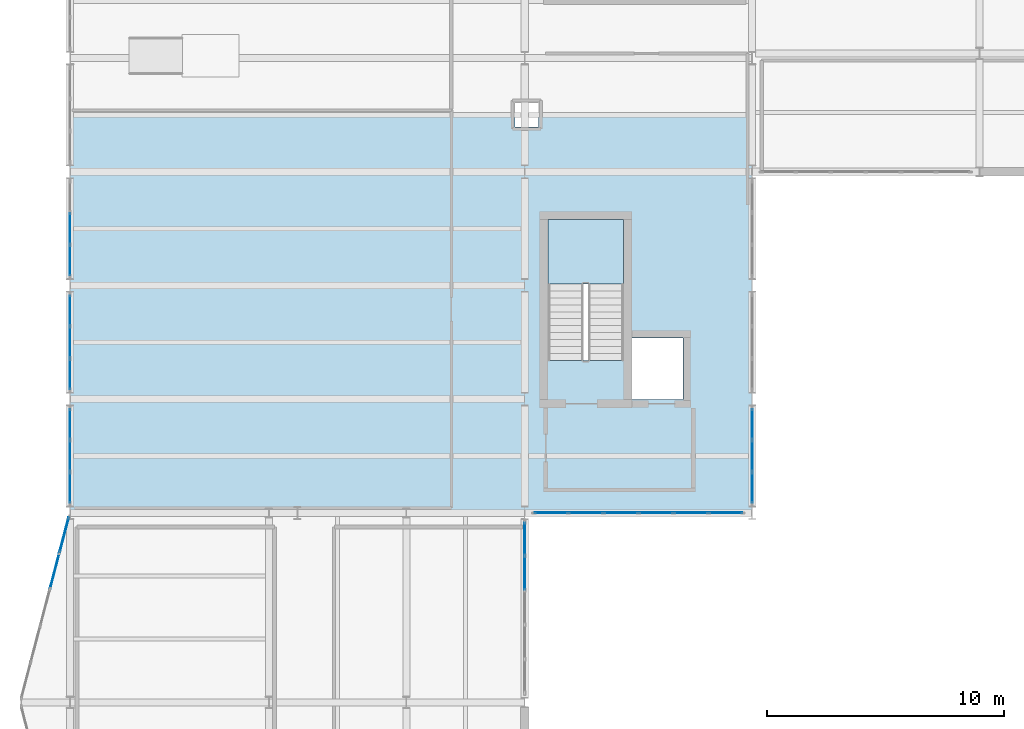
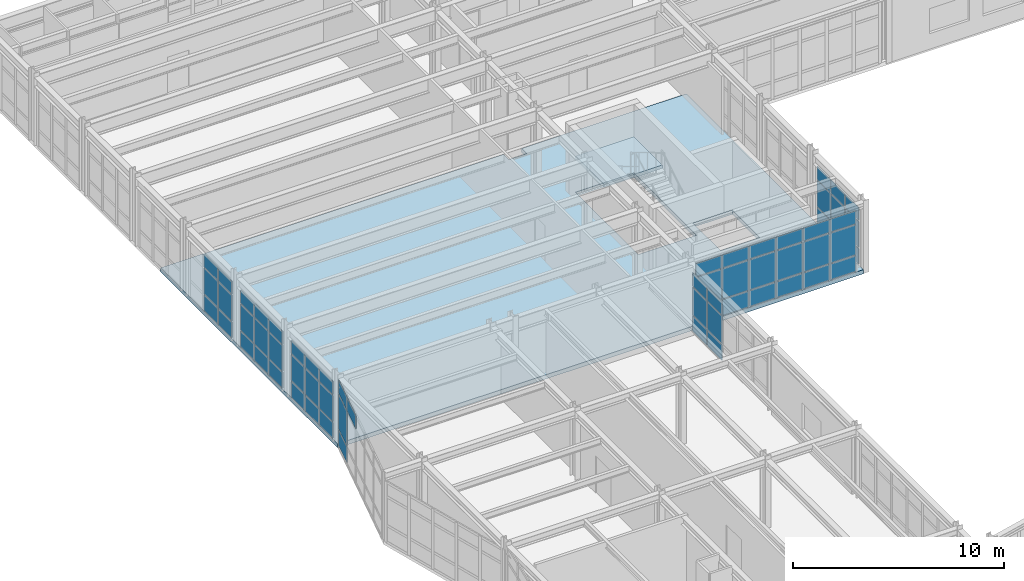
# One storey, part 55 of 88: 61 plates, 2 slabs, 8 elements without a shape of their own.
"""IFC4 building model written with IfcOpenShell, lengths in metres."""

from ifc_helpers import new_model, si_unit, direction, frame, origin, origin_2d, place, context, subcontext, project, spatial, polyline, rectangle, outline, extrude, material, layer, layer_set, type_object, element, aggregate, save


model = new_model("IFC4")

# Units and contexts
model_context = context("Model", 3, precision=1e-05, world=origin(), true_north=direction((0.0, 1.0)))
body_context = subcontext(model_context, "Body", "Model", "MODEL_VIEW")
ifc_project = project(units=[si_unit("LENGTHUNIT", "METRE"), si_unit("AREAUNIT", "SQUARE_METRE"), si_unit("VOLUMEUNIT", "CUBIC_METRE"), si_unit("PLANEANGLEUNIT", "RADIAN"), si_unit("MASSUNIT", "GRAM", prefix="KILO")], contexts=[model_context])

# Site, building, storey
site_placement = place(None, origin())
site = spatial("IfcSite", under=ifc_project, at=site_placement, CompositionType="ELEMENT")
building_placement = place(site_placement, origin())
building = spatial("IfcBuilding", under=site, at=building_placement, Name="Nordkorset Police Headquarters", CompositionType="ELEMENT")
storey_placement = place(building_placement, frame((0.0, 0.0, 9.449951171875)))
storey = spatial("IfcBuildingStorey", under=building, at=storey_placement, Name="L02", CompositionType="ELEMENT", Elevation=9.449951171875)

# Curtain wall, plates
ifc_material_1 = material(Name="Aluminium alloy AW-6060", Category="aluminium")
ifc_layer_1 = layer(ifc_material_1, 0.179931640625, Name="Aluminium alloy AW-6060")
ifc_layer_set_1 = layer_set([ifc_layer_1], Name="Aluminium alloy AW-6060")
curtain_wall_type_1 = type_object("IfcCurtainWallType", Name="CW_Unit_408x341", PredefinedType="USERDEFINED", material=ifc_layer_set_1)
curtain_wall_1_placement = place(storey_placement, origin())
curtain_wall_1 = element("IfcCurtainWall", 1, at=curtain_wall_1_placement, inside=storey, type_object=curtain_wall_type_1, Name="Unitised Curtain Wall L02 V1W-0", ObjectType="UNITISED CURTAIN WALL", PredefinedType="USERDEFINED")
ifc_material_2 = material(Name="Low-iron triple glazing", Category="glass")
ifc_layer_2 = layer(ifc_material_2, 0.035888671875, Name="Low-iron triple glazing")
ifc_layer_set_2 = layer_set([ifc_layer_2], Name="Low-iron triple glazing")
plate_type = type_object("IfcPlateType", Name="CW_Panel_TripleGlazing_36", PredefinedType="CURTAIN_PANEL", material=ifc_layer_set_2)
plate_1_placement = place(storey_placement, frame((0.0, 84.25634765625, 0.06494140625), z_axis=(0.0, 0.0, 1.0), x_axis=(0.0, 1.0, 0.0)))
plate_1 = element("IfcPlate", 2, at=plate_1_placement, type_object=plate_type, Name="CW-40 panel 1.1", PredefinedType="CURTAIN_PANEL", context=body_context, shape_type="SweptSolid", body=[
    extrude(rectangle(XDim=1.262451171875, YDim=0.035888671875, at=origin_2d()), origin(), (0.0, 0.0, 1.0), 0.902587890625),
])
plate_2_placement = place(storey_placement, frame((0.0, 84.25634765625, 1.032470703125), z_axis=(0.0, 0.0, 1.0), x_axis=(0.0, 1.0, 0.0)))
plate_2 = element("IfcPlate", 3, at=plate_2_placement, type_object=plate_type, Name="CW-40 panel 1.2", PredefinedType="CURTAIN_PANEL", context=body_context, shape_type="SweptSolid", body=[
    extrude(rectangle(XDim=1.262451171875, YDim=0.035888671875, at=origin_2d()), origin(), (0.0, 0.0, 1.0), 1.4951171875),
])
plate_3_placement = place(storey_placement, frame((0.0, 84.25634765625, 2.592529296875), z_axis=(0.0, 0.0, 1.0), x_axis=(0.0, 1.0, 0.0)))
plate_3 = element("IfcPlate", 4, at=plate_3_placement, type_object=plate_type, Name="CW-40 panel 1.3", PredefinedType="CURTAIN_PANEL", context=body_context, shape_type="SweptSolid", body=[
    extrude(rectangle(XDim=1.262451171875, YDim=0.035888671875, at=origin_2d()), origin(), (0.0, 0.0, 1.0), 0.75244140625),
])
plate_4_placement = place(storey_placement, frame((0.0, 85.60009765625, 0.06494140625), z_axis=(0.0, 0.0, 1.0), x_axis=(0.0, 1.0, 0.0)))
plate_4 = element("IfcPlate", 5, at=plate_4_placement, type_object=plate_type, Name="CW-40 panel 2.1", PredefinedType="CURTAIN_PANEL", context=body_context, shape_type="SweptSolid", body=[
    extrude(rectangle(XDim=1.294921875, YDim=0.035888671875, at=origin_2d()), origin(), (0.0, 0.0, 1.0), 0.902587890625),
])
plate_5_placement = place(storey_placement, frame((0.0, 85.60009765625, 1.032470703125), z_axis=(0.0, 0.0, 1.0), x_axis=(0.0, 1.0, 0.0)))
plate_5 = element("IfcPlate", 6, at=plate_5_placement, type_object=plate_type, Name="CW-40 panel 2.2", PredefinedType="CURTAIN_PANEL", context=body_context, shape_type="SweptSolid", body=[
    extrude(rectangle(XDim=1.294921875, YDim=0.035888671875, at=origin_2d()), origin(), (0.0, 0.0, 1.0), 1.4951171875),
])
plate_6_placement = place(storey_placement, frame((0.0, 85.60009765625, 2.592529296875), z_axis=(0.0, 0.0, 1.0), x_axis=(0.0, 1.0, 0.0)))
plate_6 = element("IfcPlate", 7, at=plate_6_placement, type_object=plate_type, Name="CW-40 panel 2.3", PredefinedType="CURTAIN_PANEL", context=body_context, shape_type="SweptSolid", body=[
    extrude(rectangle(XDim=1.294921875, YDim=0.035888671875, at=origin_2d()), origin(), (0.0, 0.0, 1.0), 0.75244140625),
])
plate_7_placement = place(storey_placement, frame((0.0, 86.94384765625, 0.06494140625), z_axis=(0.0, 0.0, 1.0), x_axis=(0.0, 1.0, 0.0)))
plate_7 = element("IfcPlate", 8, at=plate_7_placement, type_object=plate_type, Name="CW-40 panel 3.1", PredefinedType="CURTAIN_PANEL", context=body_context, shape_type="SweptSolid", body=[
    extrude(rectangle(XDim=1.262451171875, YDim=0.035888671875, at=origin_2d()), origin(), (0.0, 0.0, 1.0), 0.902587890625),
])
plate_8_placement = place(storey_placement, frame((0.0, 86.94384765625, 1.032470703125), z_axis=(0.0, 0.0, 1.0), x_axis=(0.0, 1.0, 0.0)))
plate_8 = element("IfcPlate", 9, at=plate_8_placement, type_object=plate_type, Name="CW-40 panel 3.2", PredefinedType="CURTAIN_PANEL", context=body_context, shape_type="SweptSolid", body=[
    extrude(rectangle(XDim=1.262451171875, YDim=0.035888671875, at=origin_2d()), origin(), (0.0, 0.0, 1.0), 1.4951171875),
])
plate_9_placement = place(storey_placement, frame((0.0, 86.94384765625, 2.592529296875), z_axis=(0.0, 0.0, 1.0), x_axis=(0.0, 1.0, 0.0)))
plate_9 = element("IfcPlate", 10, at=plate_9_placement, type_object=plate_type, Name="CW-40 panel 3.3", PredefinedType="CURTAIN_PANEL", context=body_context, shape_type="SweptSolid", body=[
    extrude(rectangle(XDim=1.262451171875, YDim=0.035888671875, at=origin_2d()), origin(), (0.0, 0.0, 1.0), 0.75244140625),
])
aggregate(curtain_wall_1, [plate_1, plate_2, plate_3, plate_4, plate_5, plate_6, plate_7, plate_8, plate_9])

curtain_wall_2_placement = place(storey_placement, origin())
curtain_wall_2 = element("IfcCurtainWall", 11, at=curtain_wall_2_placement, inside=storey, type_object=curtain_wall_type_1, Name="Unitised Curtain Wall L02 V1W-1", ObjectType="UNITISED CURTAIN WALL", PredefinedType="USERDEFINED")
plate_10_placement = place(storey_placement, frame((0.0, 89.05615234375, 0.06494140625), z_axis=(0.0, 0.0, 1.0), x_axis=(0.0, 1.0, 0.0)))
plate_10 = element("IfcPlate", 12, at=plate_10_placement, type_object=plate_type, Name="CW-40 panel 1.1", PredefinedType="CURTAIN_PANEL", context=body_context, shape_type="SweptSolid", body=[
    extrude(rectangle(XDim=1.262451171875, YDim=0.035888671875, at=origin_2d()), origin(), (0.0, 0.0, 1.0), 0.902587890625),
])
plate_11_placement = place(storey_placement, frame((0.0, 89.05615234375, 1.032470703125), z_axis=(0.0, 0.0, 1.0), x_axis=(0.0, 1.0, 0.0)))
plate_11 = element("IfcPlate", 13, at=plate_11_placement, type_object=plate_type, Name="CW-40 panel 1.2", PredefinedType="CURTAIN_PANEL", context=body_context, shape_type="SweptSolid", body=[
    extrude(rectangle(XDim=1.262451171875, YDim=0.035888671875, at=origin_2d()), origin(), (0.0, 0.0, 1.0), 1.4951171875),
])
plate_12_placement = place(storey_placement, frame((0.0, 89.05615234375, 2.592529296875), z_axis=(0.0, 0.0, 1.0), x_axis=(0.0, 1.0, 0.0)))
plate_12 = element("IfcPlate", 14, at=plate_12_placement, type_object=plate_type, Name="CW-40 panel 1.3", PredefinedType="CURTAIN_PANEL", context=body_context, shape_type="SweptSolid", body=[
    extrude(rectangle(XDim=1.262451171875, YDim=0.035888671875, at=origin_2d()), origin(), (0.0, 0.0, 1.0), 0.75244140625),
])
plate_13_placement = place(storey_placement, frame((0.0, 90.39990234375, 0.06494140625), z_axis=(0.0, 0.0, 1.0), x_axis=(0.0, 1.0, 0.0)))
plate_13 = element("IfcPlate", 15, at=plate_13_placement, type_object=plate_type, Name="CW-40 panel 2.1", PredefinedType="CURTAIN_PANEL", context=body_context, shape_type="SweptSolid", body=[
    extrude(rectangle(XDim=1.294921875, YDim=0.035888671875, at=origin_2d()), origin(), (0.0, 0.0, 1.0), 0.902587890625),
])
plate_14_placement = place(storey_placement, frame((0.0, 90.39990234375, 1.032470703125), z_axis=(0.0, 0.0, 1.0), x_axis=(0.0, 1.0, 0.0)))
plate_14 = element("IfcPlate", 16, at=plate_14_placement, type_object=plate_type, Name="CW-40 panel 2.2", PredefinedType="CURTAIN_PANEL", context=body_context, shape_type="SweptSolid", body=[
    extrude(rectangle(XDim=1.294921875, YDim=0.035888671875, at=origin_2d()), origin(), (0.0, 0.0, 1.0), 1.4951171875),
])
plate_15_placement = place(storey_placement, frame((0.0, 90.39990234375, 2.592529296875), z_axis=(0.0, 0.0, 1.0), x_axis=(0.0, 1.0, 0.0)))
plate_15 = element("IfcPlate", 17, at=plate_15_placement, type_object=plate_type, Name="CW-40 panel 2.3", PredefinedType="CURTAIN_PANEL", context=body_context, shape_type="SweptSolid", body=[
    extrude(rectangle(XDim=1.294921875, YDim=0.035888671875, at=origin_2d()), origin(), (0.0, 0.0, 1.0), 0.75244140625),
])
plate_16_placement = place(storey_placement, frame((0.0, 91.74365234375, 0.06494140625), z_axis=(0.0, 0.0, 1.0), x_axis=(0.0, 1.0, 0.0)))
plate_16 = element("IfcPlate", 18, at=plate_16_placement, type_object=plate_type, Name="CW-40 panel 3.1", PredefinedType="CURTAIN_PANEL", context=body_context, shape_type="SweptSolid", body=[
    extrude(rectangle(XDim=1.262451171875, YDim=0.035888671875, at=origin_2d()), origin(), (0.0, 0.0, 1.0), 0.902587890625),
])
plate_17_placement = place(storey_placement, frame((0.0, 91.74365234375, 1.032470703125), z_axis=(0.0, 0.0, 1.0), x_axis=(0.0, 1.0, 0.0)))
plate_17 = element("IfcPlate", 19, at=plate_17_placement, type_object=plate_type, Name="CW-40 panel 3.2", PredefinedType="CURTAIN_PANEL", context=body_context, shape_type="SweptSolid", body=[
    extrude(rectangle(XDim=1.262451171875, YDim=0.035888671875, at=origin_2d()), origin(), (0.0, 0.0, 1.0), 1.4951171875),
])
plate_18_placement = place(storey_placement, frame((0.0, 91.74365234375, 2.592529296875), z_axis=(0.0, 0.0, 1.0), x_axis=(0.0, 1.0, 0.0)))
plate_18 = element("IfcPlate", 20, at=plate_18_placement, type_object=plate_type, Name="CW-40 panel 3.3", PredefinedType="CURTAIN_PANEL", context=body_context, shape_type="SweptSolid", body=[
    extrude(rectangle(XDim=1.262451171875, YDim=0.035888671875, at=origin_2d()), origin(), (0.0, 0.0, 1.0), 0.75244140625),
])
aggregate(curtain_wall_2, [plate_10, plate_11, plate_12, plate_13, plate_14, plate_15, plate_16, plate_17, plate_18])

curtain_wall_3_placement = place(storey_placement, origin())
curtain_wall_3 = element("IfcCurtainWall", 21, at=curtain_wall_3_placement, inside=storey, type_object=curtain_wall_type_1, Name="Unitised Curtain Wall L02 V1W-2", ObjectType="UNITISED CURTAIN WALL", PredefinedType="USERDEFINED")
plate_19_placement = place(storey_placement, frame((0.0, 93.856201171875, 0.06494140625), z_axis=(0.0, 0.0, 1.0), x_axis=(0.0, 1.0, 0.0)))
plate_19 = element("IfcPlate", 22, at=plate_19_placement, type_object=plate_type, Name="CW-40 panel 1.1", PredefinedType="CURTAIN_PANEL", context=body_context, shape_type="SweptSolid", body=[
    extrude(rectangle(XDim=1.262451171875, YDim=0.035888671875, at=origin_2d()), origin(), (0.0, 0.0, 1.0), 0.902587890625),
])
plate_20_placement = place(storey_placement, frame((0.0, 93.856201171875, 1.032470703125), z_axis=(0.0, 0.0, 1.0), x_axis=(0.0, 1.0, 0.0)))
plate_20 = element("IfcPlate", 23, at=plate_20_placement, type_object=plate_type, Name="CW-40 panel 1.2", PredefinedType="CURTAIN_PANEL", context=body_context, shape_type="SweptSolid", body=[
    extrude(rectangle(XDim=1.262451171875, YDim=0.035888671875, at=origin_2d()), origin(), (0.0, 0.0, 1.0), 1.4951171875),
])
plate_21_placement = place(storey_placement, frame((0.0, 93.856201171875, 2.592529296875), z_axis=(0.0, 0.0, 1.0), x_axis=(0.0, 1.0, 0.0)))
plate_21 = element("IfcPlate", 24, at=plate_21_placement, type_object=plate_type, Name="CW-40 panel 1.3", PredefinedType="CURTAIN_PANEL", context=body_context, shape_type="SweptSolid", body=[
    extrude(rectangle(XDim=1.262451171875, YDim=0.035888671875, at=origin_2d()), origin(), (0.0, 0.0, 1.0), 0.75244140625),
])
plate_22_placement = place(storey_placement, frame((0.0, 95.199951171875, 0.06494140625), z_axis=(0.0, 0.0, 1.0), x_axis=(0.0, 1.0, 0.0)))
plate_22 = element("IfcPlate", 25, at=plate_22_placement, type_object=plate_type, Name="CW-40 panel 2.1", PredefinedType="CURTAIN_PANEL", context=body_context, shape_type="SweptSolid", body=[
    extrude(rectangle(XDim=1.294921875, YDim=0.035888671875, at=origin_2d()), origin(), (0.0, 0.0, 1.0), 0.902587890625),
])
plate_23_placement = place(storey_placement, frame((0.0, 95.199951171875, 1.032470703125), z_axis=(0.0, 0.0, 1.0), x_axis=(0.0, 1.0, 0.0)))
plate_23 = element("IfcPlate", 26, at=plate_23_placement, type_object=plate_type, Name="CW-40 panel 2.2", PredefinedType="CURTAIN_PANEL", context=body_context, shape_type="SweptSolid", body=[
    extrude(rectangle(XDim=1.294921875, YDim=0.035888671875, at=origin_2d()), origin(), (0.0, 0.0, 1.0), 1.4951171875),
])
plate_24_placement = place(storey_placement, frame((0.0, 95.199951171875, 2.592529296875), z_axis=(0.0, 0.0, 1.0), x_axis=(0.0, 1.0, 0.0)))
plate_24 = element("IfcPlate", 27, at=plate_24_placement, type_object=plate_type, Name="CW-40 panel 2.3", PredefinedType="CURTAIN_PANEL", context=body_context, shape_type="SweptSolid", body=[
    extrude(rectangle(XDim=1.294921875, YDim=0.035888671875, at=origin_2d()), origin(), (0.0, 0.0, 1.0), 0.75244140625),
])
aggregate(curtain_wall_3, [plate_19, plate_20, plate_21, plate_22, plate_23, plate_24])

curtain_wall_4_placement = place(storey_placement, origin())
curtain_wall_4 = element("IfcCurtainWall", 28, at=curtain_wall_4_placement, inside=storey, type_object=curtain_wall_type_1, Name="Unitised Curtain Wall L02 V1E-0", ObjectType="UNITISED CURTAIN WALL", PredefinedType="USERDEFINED")
plate_25_placement = place(storey_placement, frame((28.800048828125, 84.25634765625, 0.06494140625), z_axis=(0.0, 0.0, 1.0), x_axis=(0.0, 1.0, 0.0)))
plate_25 = element("IfcPlate", 29, at=plate_25_placement, type_object=plate_type, Name="CW-40 panel 1.1", PredefinedType="CURTAIN_PANEL", context=body_context, shape_type="SweptSolid", body=[
    extrude(rectangle(XDim=1.262451171875, YDim=0.035888671875, at=origin_2d()), origin(), (0.0, 0.0, 1.0), 0.902587890625),
])
plate_26_placement = place(storey_placement, frame((28.800048828125, 84.25634765625, 1.032470703125), z_axis=(0.0, 0.0, 1.0), x_axis=(0.0, 1.0, 0.0)))
plate_26 = element("IfcPlate", 30, at=plate_26_placement, type_object=plate_type, Name="CW-40 panel 1.2", PredefinedType="CURTAIN_PANEL", context=body_context, shape_type="SweptSolid", body=[
    extrude(rectangle(XDim=1.262451171875, YDim=0.035888671875, at=origin_2d()), origin(), (0.0, 0.0, 1.0), 1.4951171875),
])
plate_27_placement = place(storey_placement, frame((28.800048828125, 84.25634765625, 2.592529296875), z_axis=(0.0, 0.0, 1.0), x_axis=(0.0, 1.0, 0.0)))
plate_27 = element("IfcPlate", 31, at=plate_27_placement, type_object=plate_type, Name="CW-40 panel 1.3", PredefinedType="CURTAIN_PANEL", context=body_context, shape_type="SweptSolid", body=[
    extrude(rectangle(XDim=1.262451171875, YDim=0.035888671875, at=origin_2d()), origin(), (0.0, 0.0, 1.0), 0.75244140625),
])
plate_28_placement = place(storey_placement, frame((28.800048828125, 85.60009765625, 0.06494140625), z_axis=(0.0, 0.0, 1.0), x_axis=(0.0, 1.0, 0.0)))
plate_28 = element("IfcPlate", 32, at=plate_28_placement, type_object=plate_type, Name="CW-40 panel 2.1", PredefinedType="CURTAIN_PANEL", context=body_context, shape_type="SweptSolid", body=[
    extrude(rectangle(XDim=1.294921875, YDim=0.035888671875, at=origin_2d()), origin(), (0.0, 0.0, 1.0), 0.902587890625),
])
plate_29_placement = place(storey_placement, frame((28.800048828125, 85.60009765625, 1.032470703125), z_axis=(0.0, 0.0, 1.0), x_axis=(0.0, 1.0, 0.0)))
plate_29 = element("IfcPlate", 33, at=plate_29_placement, type_object=plate_type, Name="CW-40 panel 2.2", PredefinedType="CURTAIN_PANEL", context=body_context, shape_type="SweptSolid", body=[
    extrude(rectangle(XDim=1.294921875, YDim=0.035888671875, at=origin_2d()), origin(), (0.0, 0.0, 1.0), 1.4951171875),
])
plate_30_placement = place(storey_placement, frame((28.800048828125, 85.60009765625, 2.592529296875), z_axis=(0.0, 0.0, 1.0), x_axis=(0.0, 1.0, 0.0)))
plate_30 = element("IfcPlate", 34, at=plate_30_placement, type_object=plate_type, Name="CW-40 panel 2.3", PredefinedType="CURTAIN_PANEL", context=body_context, shape_type="SweptSolid", body=[
    extrude(rectangle(XDim=1.294921875, YDim=0.035888671875, at=origin_2d()), origin(), (0.0, 0.0, 1.0), 0.75244140625),
])
plate_31_placement = place(storey_placement, frame((28.800048828125, 86.94384765625, 0.06494140625), z_axis=(0.0, 0.0, 1.0), x_axis=(0.0, 1.0, 0.0)))
plate_31 = element("IfcPlate", 35, at=plate_31_placement, type_object=plate_type, Name="CW-40 panel 3.1", PredefinedType="CURTAIN_PANEL", context=body_context, shape_type="SweptSolid", body=[
    extrude(rectangle(XDim=1.262451171875, YDim=0.035888671875, at=origin_2d()), origin(), (0.0, 0.0, 1.0), 0.902587890625),
])
plate_32_placement = place(storey_placement, frame((28.800048828125, 86.94384765625, 1.032470703125), z_axis=(0.0, 0.0, 1.0), x_axis=(0.0, 1.0, 0.0)))
plate_32 = element("IfcPlate", 36, at=plate_32_placement, type_object=plate_type, Name="CW-40 panel 3.2", PredefinedType="CURTAIN_PANEL", context=body_context, shape_type="SweptSolid", body=[
    extrude(rectangle(XDim=1.262451171875, YDim=0.035888671875, at=origin_2d()), origin(), (0.0, 0.0, 1.0), 1.4951171875),
])
plate_33_placement = place(storey_placement, frame((28.800048828125, 86.94384765625, 2.592529296875), z_axis=(0.0, 0.0, 1.0), x_axis=(0.0, 1.0, 0.0)))
plate_33 = element("IfcPlate", 37, at=plate_33_placement, type_object=plate_type, Name="CW-40 panel 3.3", PredefinedType="CURTAIN_PANEL", context=body_context, shape_type="SweptSolid", body=[
    extrude(rectangle(XDim=1.262451171875, YDim=0.035888671875, at=origin_2d()), origin(), (0.0, 0.0, 1.0), 0.75244140625),
])
aggregate(curtain_wall_4, [plate_25, plate_26, plate_27, plate_28, plate_29, plate_30, plate_31, plate_32, plate_33])

ifc_material_3 = material(Name="Aluminium alloy AW-6060", Category="aluminium")
ifc_layer_3 = layer(ifc_material_3, 0.179931640625, Name="Aluminium alloy AW-6060")
ifc_layer_set_3 = layer_set([ifc_layer_3], Name="Aluminium alloy AW-6060")
curtain_wall_type_2 = type_object("IfcCurtainWallType", Name="CW_Unit_888x364", PredefinedType="USERDEFINED", material=ifc_layer_set_3)
curtain_wall_5_placement = place(storey_placement, origin())
curtain_wall_5 = element("IfcCurtainWall", 38, at=curtain_wall_5_placement, inside=storey, type_object=curtain_wall_type_2, Name="Unitised Curtain Wall L02 V1S-2", ObjectType="UNITISED CURTAIN WALL", PredefinedType="USERDEFINED")
plate_34_placement = place(storey_placement, frame((20.316162109375, 83.199951171875, 0.06494140625), z_axis=(0.0, 0.0, 1.0), x_axis=(1.0, 0.0, 0.0)))
plate_34 = element("IfcPlate", 39, at=plate_34_placement, type_object=plate_type, Name="CW-53 panel 1.1", PredefinedType="CURTAIN_PANEL", context=body_context, shape_type="SweptSolid", body=[
    extrude(rectangle(XDim=1.382568359375, YDim=0.035888671875, at=origin_2d()), origin(), (0.0, 0.0, 1.0), 0.902587890625),
])
plate_35_placement = place(storey_placement, frame((20.316162109375, 83.199951171875, 1.032470703125), z_axis=(0.0, 0.0, 1.0), x_axis=(1.0, 0.0, 0.0)))
plate_35 = element("IfcPlate", 40, at=plate_35_placement, type_object=plate_type, Name="CW-53 panel 1.2", PredefinedType="CURTAIN_PANEL", context=body_context, shape_type="SweptSolid", body=[
    extrude(rectangle(XDim=1.382568359375, YDim=0.035888671875, at=origin_2d()), origin(), (0.0, 0.0, 1.0), 1.72509765625),
])
plate_36_placement = place(storey_placement, frame((20.316162109375, 83.199951171875, 2.822509765625), z_axis=(0.0, 0.0, 1.0), x_axis=(1.0, 0.0, 0.0)))
plate_36 = element("IfcPlate", 41, at=plate_36_placement, type_object=plate_type, Name="CW-53 panel 1.3", PredefinedType="CURTAIN_PANEL", context=body_context, shape_type="SweptSolid", body=[
    extrude(rectangle(XDim=1.382568359375, YDim=0.035888671875, at=origin_2d()), origin(), (0.0, 0.0, 1.0), 0.75244140625),
])
plate_37_placement = place(storey_placement, frame((21.780029296875, 83.199951171875, 0.06494140625), z_axis=(0.0, 0.0, 1.0), x_axis=(1.0, 0.0, 0.0)))
plate_37 = element("IfcPlate", 42, at=plate_37_placement, type_object=plate_type, Name="CW-53 panel 2.1", PredefinedType="CURTAIN_PANEL", context=body_context, shape_type="SweptSolid", body=[
    extrude(rectangle(XDim=1.4150390625, YDim=0.035888671875, at=origin_2d()), origin(), (0.0, 0.0, 1.0), 0.902587890625),
])
plate_38_placement = place(storey_placement, frame((21.780029296875, 83.199951171875, 1.032470703125), z_axis=(0.0, 0.0, 1.0), x_axis=(1.0, 0.0, 0.0)))
plate_38 = element("IfcPlate", 43, at=plate_38_placement, type_object=plate_type, Name="CW-53 panel 2.2", PredefinedType="CURTAIN_PANEL", context=body_context, shape_type="SweptSolid", body=[
    extrude(rectangle(XDim=1.4150390625, YDim=0.035888671875, at=origin_2d()), origin(), (0.0, 0.0, 1.0), 1.72509765625),
])
plate_39_placement = place(storey_placement, frame((21.780029296875, 83.199951171875, 2.822509765625), z_axis=(0.0, 0.0, 1.0), x_axis=(1.0, 0.0, 0.0)))
plate_39 = element("IfcPlate", 44, at=plate_39_placement, type_object=plate_type, Name="CW-53 panel 2.3", PredefinedType="CURTAIN_PANEL", context=body_context, shape_type="SweptSolid", body=[
    extrude(rectangle(XDim=1.4150390625, YDim=0.035888671875, at=origin_2d()), origin(), (0.0, 0.0, 1.0), 0.75244140625),
])
plate_40_placement = place(storey_placement, frame((23.260009765625, 83.199951171875, 0.06494140625), z_axis=(0.0, 0.0, 1.0), x_axis=(1.0, 0.0, 0.0)))
plate_40 = element("IfcPlate", 45, at=plate_40_placement, type_object=plate_type, Name="CW-53 panel 3.1", PredefinedType="CURTAIN_PANEL", context=body_context, shape_type="SweptSolid", body=[
    extrude(rectangle(XDim=1.4150390625, YDim=0.035888671875, at=origin_2d()), origin(), (0.0, 0.0, 1.0), 0.902587890625),
])
plate_41_placement = place(storey_placement, frame((23.260009765625, 83.199951171875, 1.032470703125), z_axis=(0.0, 0.0, 1.0), x_axis=(1.0, 0.0, 0.0)))
plate_41 = element("IfcPlate", 46, at=plate_41_placement, type_object=plate_type, Name="CW-53 panel 3.2", PredefinedType="CURTAIN_PANEL", context=body_context, shape_type="SweptSolid", body=[
    extrude(rectangle(XDim=1.4150390625, YDim=0.035888671875, at=origin_2d()), origin(), (0.0, 0.0, 1.0), 1.72509765625),
])
plate_42_placement = place(storey_placement, frame((23.260009765625, 83.199951171875, 2.822509765625), z_axis=(0.0, 0.0, 1.0), x_axis=(1.0, 0.0, 0.0)))
plate_42 = element("IfcPlate", 47, at=plate_42_placement, type_object=plate_type, Name="CW-53 panel 3.3", PredefinedType="CURTAIN_PANEL", context=body_context, shape_type="SweptSolid", body=[
    extrude(rectangle(XDim=1.4150390625, YDim=0.035888671875, at=origin_2d()), origin(), (0.0, 0.0, 1.0), 0.75244140625),
])
plate_43_placement = place(storey_placement, frame((24.739990234375, 83.199951171875, 0.06494140625), z_axis=(0.0, 0.0, 1.0), x_axis=(1.0, 0.0, 0.0)))
plate_43 = element("IfcPlate", 48, at=plate_43_placement, type_object=plate_type, Name="CW-53 panel 4.1", PredefinedType="CURTAIN_PANEL", context=body_context, shape_type="SweptSolid", body=[
    extrude(rectangle(XDim=1.4150390625, YDim=0.035888671875, at=origin_2d()), origin(), (0.0, 0.0, 1.0), 0.902587890625),
])
plate_44_placement = place(storey_placement, frame((24.739990234375, 83.199951171875, 1.032470703125), z_axis=(0.0, 0.0, 1.0), x_axis=(1.0, 0.0, 0.0)))
plate_44 = element("IfcPlate", 49, at=plate_44_placement, type_object=plate_type, Name="CW-53 panel 4.2", PredefinedType="CURTAIN_PANEL", context=body_context, shape_type="SweptSolid", body=[
    extrude(rectangle(XDim=1.4150390625, YDim=0.035888671875, at=origin_2d()), origin(), (0.0, 0.0, 1.0), 1.72509765625),
])
plate_45_placement = place(storey_placement, frame((24.739990234375, 83.199951171875, 2.822509765625), z_axis=(0.0, 0.0, 1.0), x_axis=(1.0, 0.0, 0.0)))
plate_45 = element("IfcPlate", 50, at=plate_45_placement, type_object=plate_type, Name="CW-53 panel 4.3", PredefinedType="CURTAIN_PANEL", context=body_context, shape_type="SweptSolid", body=[
    extrude(rectangle(XDim=1.4150390625, YDim=0.035888671875, at=origin_2d()), origin(), (0.0, 0.0, 1.0), 0.75244140625),
])
plate_46_placement = place(storey_placement, frame((26.219970703125, 83.199951171875, 0.06494140625), z_axis=(0.0, 0.0, 1.0), x_axis=(1.0, 0.0, 0.0)))
plate_46 = element("IfcPlate", 51, at=plate_46_placement, type_object=plate_type, Name="CW-53 panel 5.1", PredefinedType="CURTAIN_PANEL", context=body_context, shape_type="SweptSolid", body=[
    extrude(rectangle(XDim=1.4150390625, YDim=0.035888671875, at=origin_2d()), origin(), (0.0, 0.0, 1.0), 0.902587890625),
])
plate_47_placement = place(storey_placement, frame((26.219970703125, 83.199951171875, 1.032470703125), z_axis=(0.0, 0.0, 1.0), x_axis=(1.0, 0.0, 0.0)))
plate_47 = element("IfcPlate", 52, at=plate_47_placement, type_object=plate_type, Name="CW-53 panel 5.2", PredefinedType="CURTAIN_PANEL", context=body_context, shape_type="SweptSolid", body=[
    extrude(rectangle(XDim=1.4150390625, YDim=0.035888671875, at=origin_2d()), origin(), (0.0, 0.0, 1.0), 1.72509765625),
])
plate_48_placement = place(storey_placement, frame((26.219970703125, 83.199951171875, 2.822509765625), z_axis=(0.0, 0.0, 1.0), x_axis=(1.0, 0.0, 0.0)))
plate_48 = element("IfcPlate", 53, at=plate_48_placement, type_object=plate_type, Name="CW-53 panel 5.3", PredefinedType="CURTAIN_PANEL", context=body_context, shape_type="SweptSolid", body=[
    extrude(rectangle(XDim=1.4150390625, YDim=0.035888671875, at=origin_2d()), origin(), (0.0, 0.0, 1.0), 0.75244140625),
])
plate_49_placement = place(storey_placement, frame((27.683837890625, 83.199951171875, 0.06494140625), z_axis=(0.0, 0.0, 1.0), x_axis=(1.0, 0.0, 0.0)))
plate_49 = element("IfcPlate", 54, at=plate_49_placement, type_object=plate_type, Name="CW-53 panel 6.1", PredefinedType="CURTAIN_PANEL", context=body_context, shape_type="SweptSolid", body=[
    extrude(rectangle(XDim=1.382568359375, YDim=0.035888671875, at=origin_2d()), origin(), (0.0, 0.0, 1.0), 0.902587890625),
])
plate_50_placement = place(storey_placement, frame((27.683837890625, 83.199951171875, 1.032470703125), z_axis=(0.0, 0.0, 1.0), x_axis=(1.0, 0.0, 0.0)))
plate_50 = element("IfcPlate", 55, at=plate_50_placement, type_object=plate_type, Name="CW-53 panel 6.2", PredefinedType="CURTAIN_PANEL", context=body_context, shape_type="SweptSolid", body=[
    extrude(rectangle(XDim=1.382568359375, YDim=0.035888671875, at=origin_2d()), origin(), (0.0, 0.0, 1.0), 1.72509765625),
])
plate_51_placement = place(storey_placement, frame((27.683837890625, 83.199951171875, 2.822509765625), z_axis=(0.0, 0.0, 1.0), x_axis=(1.0, 0.0, 0.0)))
plate_51 = element("IfcPlate", 56, at=plate_51_placement, type_object=plate_type, Name="CW-53 panel 6.3", PredefinedType="CURTAIN_PANEL", context=body_context, shape_type="SweptSolid", body=[
    extrude(rectangle(XDim=1.382568359375, YDim=0.035888671875, at=origin_2d()), origin(), (0.0, 0.0, 1.0), 0.75244140625),
])
aggregate(curtain_wall_5, [plate_34, plate_35, plate_36, plate_37, plate_38, plate_39, plate_40, plate_41, plate_42, plate_43, plate_44, plate_45, plate_46, plate_47, plate_48, plate_49, plate_50, plate_51])

ifc_material_4 = material(Name="Aluminium alloy AW-6060", Category="aluminium")
ifc_layer_4 = layer(ifc_material_4, 0.179931640625, Name="Aluminium alloy AW-6060")
ifc_layer_set_4 = layer_set([ifc_layer_4], Name="Aluminium alloy AW-6060")
curtain_wall_type_3 = type_object("IfcCurtainWallType", Name="CW_Unit_799x392", PredefinedType="USERDEFINED", material=ifc_layer_set_4)
curtain_wall_6_placement = place(storey_placement, origin())
curtain_wall_6 = element("IfcCurtainWall", 57, at=curtain_wall_6_placement, inside=storey, type_object=curtain_wall_type_3, Name="Unitised Curtain Wall L02 V3W-5", ObjectType="UNITISED CURTAIN WALL", PredefinedType="USERDEFINED")
plate_52_placement = place(storey_placement, frame((-0.644287109375, 80.745849609375, 3.1025390625), z_axis=(0.0, 0.0, 1.0), x_axis=(0.25389698695, 0.967231265013, 0.0)))
plate_52 = element("IfcPlate", 58, at=plate_52_placement, type_object=plate_type, Name="CW-68 panel 4.3", PredefinedType="CURTAIN_PANEL", context=body_context, shape_type="SweptSolid", body=[
    extrude(rectangle(XDim=1.533203125, YDim=0.035888671875, at=origin_2d()), origin(), (0.0, 0.0, 1.0), 0.75244140625),
])
plate_53_placement = place(storey_placement, frame((-0.24267578125, 82.27587890625, 0.06494140625), z_axis=(0.0, 0.0, 1.0), x_axis=(0.25389698695, 0.967231265013, 0.0)))
plate_53 = element("IfcPlate", 59, at=plate_53_placement, type_object=plate_type, Name="CW-68 panel 5.1", PredefinedType="CURTAIN_PANEL", context=body_context, shape_type="SweptSolid", body=[
    extrude(rectangle(XDim=1.500732421875, YDim=0.035888671875, at=origin_2d()), origin(), (0.0, 0.0, 1.0), 0.902587890625),
])
plate_54_placement = place(storey_placement, frame((-0.24267578125, 82.27587890625, 1.03271484375), z_axis=(0.0, 0.0, 1.0), x_axis=(0.25389698695, 0.967231265013, 0.0)))
plate_54 = element("IfcPlate", 60, at=plate_54_placement, type_object=plate_type, Name="CW-68 panel 5.2", PredefinedType="CURTAIN_PANEL", context=body_context, shape_type="SweptSolid", body=[
    extrude(rectangle(XDim=1.500732421875, YDim=0.035888671875, at=origin_2d()), origin(), (0.0, 0.0, 1.0), 2.0048828125),
])
plate_55_placement = place(storey_placement, frame((-0.24267578125, 82.27587890625, 3.1025390625), z_axis=(0.0, 0.0, 1.0), x_axis=(0.25389698695, 0.967231265013, 0.0)))
plate_55 = element("IfcPlate", 61, at=plate_55_placement, type_object=plate_type, Name="CW-68 panel 5.3", PredefinedType="CURTAIN_PANEL", context=body_context, shape_type="SweptSolid", body=[
    extrude(rectangle(XDim=1.500732421875, YDim=0.035888671875, at=origin_2d()), origin(), (0.0, 0.0, 1.0), 0.75244140625),
])
aggregate(curtain_wall_6, [plate_52, plate_53, plate_54, plate_55])

ifc_material_5 = material(Name="Aluminium alloy AW-6060", Category="aluminium")
ifc_layer_5 = layer(ifc_material_5, 0.179931640625, Name="Aluminium alloy AW-6060")
ifc_layer_set_5 = layer_set([ifc_layer_5], Name="Aluminium alloy AW-6060")
curtain_wall_type_4 = type_object("IfcCurtainWallType", Name="CW_Unit_728x351", PredefinedType="USERDEFINED", material=ifc_layer_set_5)
curtain_wall_7_placement = place(storey_placement, origin())
curtain_wall_7 = element("IfcCurtainWall", 62, at=curtain_wall_7_placement, inside=storey, type_object=curtain_wall_type_4, Name="Unitised Curtain Wall L02 V3E-5", ObjectType="UNITISED CURTAIN WALL", PredefinedType="USERDEFINED")
plate_56_placement = place(storey_placement, frame((19.199951171875, 80.656005859375, 0.06494140625), z_axis=(0.0, 0.0, 1.0), x_axis=(0.0, 1.0, 0.0)))
plate_56 = element("IfcPlate", 63, at=plate_56_placement, type_object=plate_type, Name="CW-86 panel 4.1", PredefinedType="CURTAIN_PANEL", context=body_context, shape_type="SweptSolid", body=[
    extrude(rectangle(XDim=1.39111328125, YDim=0.035888671875, at=origin_2d()), origin(), (0.0, 0.0, 1.0), 0.902587890625),
])
plate_57_placement = place(storey_placement, frame((19.199951171875, 80.656005859375, 1.03271484375), z_axis=(0.0, 0.0, 1.0), x_axis=(0.0, 1.0, 0.0)))
plate_57 = element("IfcPlate", 64, at=plate_57_placement, type_object=plate_type, Name="CW-86 panel 4.2", PredefinedType="CURTAIN_PANEL", context=body_context, shape_type="SweptSolid", body=[
    extrude(rectangle(XDim=1.39111328125, YDim=0.035888671875, at=origin_2d()), origin(), (0.0, 0.0, 1.0), 1.594970703125),
])
plate_58_placement = place(storey_placement, frame((19.199951171875, 80.656005859375, 2.692626953125), z_axis=(0.0, 0.0, 1.0), x_axis=(0.0, 1.0, 0.0)))
plate_58 = element("IfcPlate", 65, at=plate_58_placement, type_object=plate_type, Name="CW-86 panel 4.3", PredefinedType="CURTAIN_PANEL", context=body_context, shape_type="SweptSolid", body=[
    extrude(rectangle(XDim=1.39111328125, YDim=0.035888671875, at=origin_2d()), origin(), (0.0, 0.0, 1.0), 0.75244140625),
])
plate_59_placement = place(storey_placement, frame((19.199951171875, 82.095703125, 0.06494140625), z_axis=(0.0, 0.0, 1.0), x_axis=(0.0, 1.0, 0.0)))
plate_59 = element("IfcPlate", 66, at=plate_59_placement, type_object=plate_type, Name="CW-86 panel 5.1", PredefinedType="CURTAIN_PANEL", context=body_context, shape_type="SweptSolid", body=[
    extrude(rectangle(XDim=1.3583984375, YDim=0.035888671875, at=origin_2d()), origin(), (0.0, 0.0, 1.0), 0.902587890625),
])
plate_60_placement = place(storey_placement, frame((19.199951171875, 82.095703125, 1.03271484375), z_axis=(0.0, 0.0, 1.0), x_axis=(0.0, 1.0, 0.0)))
plate_60 = element("IfcPlate", 67, at=plate_60_placement, type_object=plate_type, Name="CW-86 panel 5.2", PredefinedType="CURTAIN_PANEL", context=body_context, shape_type="SweptSolid", body=[
    extrude(rectangle(XDim=1.3583984375, YDim=0.035888671875, at=origin_2d()), origin(), (0.0, 0.0, 1.0), 1.594970703125),
])
plate_61_placement = place(storey_placement, frame((19.199951171875, 82.095703125, 2.692626953125), z_axis=(0.0, 0.0, 1.0), x_axis=(0.0, 1.0, 0.0)))
plate_61 = element("IfcPlate", 68, at=plate_61_placement, type_object=plate_type, Name="CW-86 panel 5.3", PredefinedType="CURTAIN_PANEL", context=body_context, shape_type="SweptSolid", body=[
    extrude(rectangle(XDim=1.3583984375, YDim=0.035888671875, at=origin_2d()), origin(), (0.0, 0.0, 1.0), 0.75244140625),
])
aggregate(curtain_wall_7, [plate_56, plate_57, plate_58, plate_59, plate_60, plate_61])

# Slab
ifc_material_6 = material(Name="Concrete C35/45", Category="concrete")
ifc_layer_6 = layer(ifc_material_6, 0.239990234375, Name="Concrete C35/45")
ifc_layer_set_6 = layer_set([ifc_layer_6], Name="Concrete C35/45")
slab_type_1 = type_object("IfcSlabType", Name="Slab_Lab_240", PredefinedType="FLOOR", material=ifc_layer_set_6)
slab_1_placement = place(storey_placement, frame((0.0, 0.0, -0.239990234375)))
element("IfcSlab", 69, at=slab_1_placement, inside=storey, type_object=slab_type_1, Name="Composite Floor Slab V1 South L02", PredefinedType="FLOOR", context=body_context, shape_type="SweptSolid", body=[
    extrude(outline(polyline([(18.780029296875, 100.0), (18.780029296875, 99.5), (19.780029296875, 99.5), (19.780029296875, 100.0), (28.800048828125, 100.0), (28.800048828125, 83.199951171875), (0.0, 83.199951171875), (0.0, 100.0), (18.780029296875, 100.0)]), holes=[polyline([(20.175048828125, 95.574951171875), (20.175048828125, 89.6279296875), (23.375, 89.6279296875), (23.375, 95.574951171875), (20.175048828125, 95.574951171875)]), polyline([(25.875, 90.574951171875), (23.72509765625, 90.574951171875), (23.72509765625, 87.97509765625), (25.875, 87.97509765625), (25.875, 90.574951171875)])]), origin(), (0.0, 0.0, 1.0), 0.239990234375),
])

# Stair, slab
ifc_material_7 = material(Name="Concrete C35/45", Category="concrete")
stair_type = type_object("IfcStairType", Name="ST-42", PredefinedType="HALF_TURN_STAIR", material=ifc_material_7)
stair_placement = place(storey_placement, origin())
stair = element("IfcStair", 70, at=stair_placement, inside=storey, type_object=stair_type, Name="L02 Protected Escape Stair ST-03", PredefinedType="HALF_TURN_STAIR")
ifc_material_8 = material(Name="Concrete C35/45", Category="concrete")
ifc_layer_7 = layer(ifc_material_8, 0.199951171875, Name="Concrete C35/45")
ifc_layer_set_7 = layer_set([ifc_layer_7], Name="Concrete C35/45")
slab_type_2 = type_object("IfcSlabType", Name="Slab_StairLanding_200", PredefinedType="LANDING", material=ifc_layer_set_7)
slab_2_placement = place(storey_placement, frame((0.0, 0.0, 1.900146484375)))
slab_2 = element("IfcSlab", 71, at=slab_2_placement, type_object=slab_type_2, Name="ST-03 landing 1", PredefinedType="LANDING", context=body_context, shape_type="SweptSolid", body=[
    extrude(outline(polyline([(23.375, 92.8701171875), (23.375, 95.574951171875), (20.175048828125, 95.574951171875), (20.175048828125, 92.8701171875), (23.375, 92.8701171875)])), origin(), (0.0, 0.0, 1.0), 0.199951171875),
])
aggregate(stair, [slab_2])

save(model, "model.ifc")
